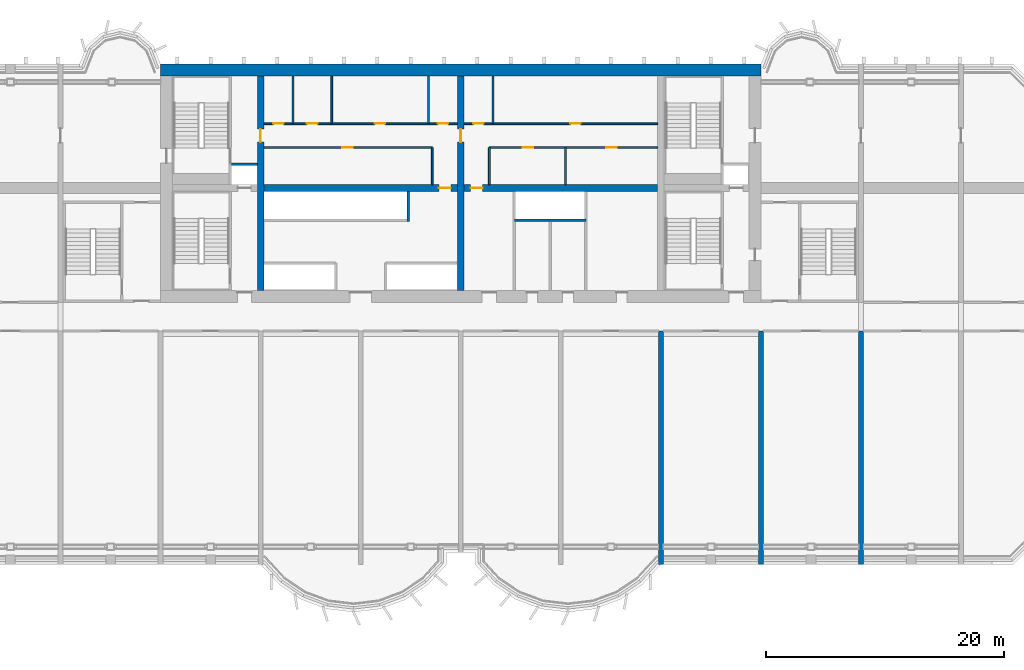
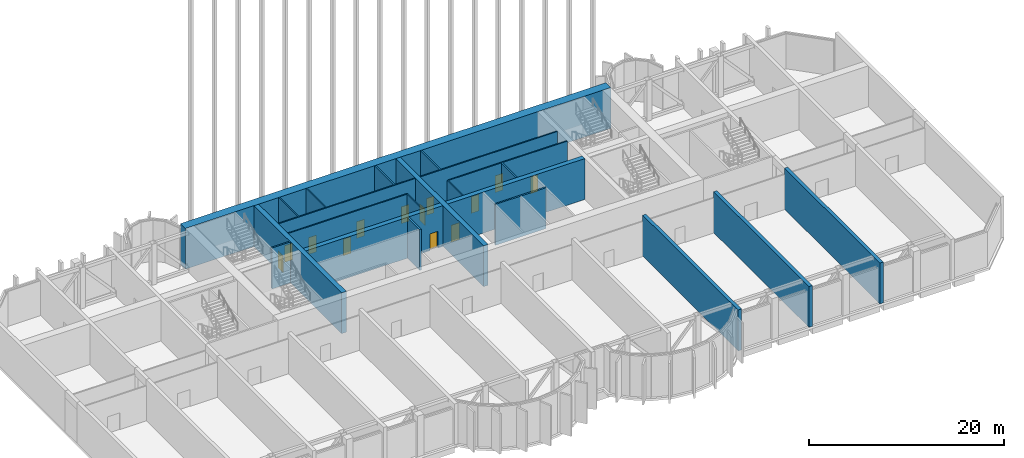
# One storey, part 7 of 17: 22 walls, 13 doors, 13 openings.
"""IFC4 building model written with IfcOpenShell, lengths in metres."""

from ifc_helpers import new_model, si_unit, direction, frame, frame_2d, origin, place, context, subcontext, project, spatial, rectangle, extrude, source, transform, mapped, material, layer, layer_set, type_object, element, fill, save


model = new_model("IFC4")

# Units and contexts
model_context = context("Model", 3, precision=1e-05, world=origin(), true_north=direction((0.0, 1.0)))
body_context = subcontext(model_context, "Body", "Model", "MODEL_VIEW")
ifc_project = project(units=[si_unit("LENGTHUNIT", "METRE"), si_unit("AREAUNIT", "SQUARE_METRE"), si_unit("VOLUMEUNIT", "CUBIC_METRE"), si_unit("PLANEANGLEUNIT", "RADIAN"), si_unit("MASSUNIT", "GRAM", prefix="KILO")], contexts=[model_context])

# Site, building, storey
site_placement = place(None, origin())
site = spatial("IfcSite", under=ifc_project, at=site_placement, CompositionType="ELEMENT")
building_placement = place(site_placement, origin())
building = spatial("IfcBuilding", under=site, at=building_placement, Name="Vanashikhar Sky Hotel", CompositionType="ELEMENT")
storey_placement = place(building_placement, frame((0.0, 0.0, 81.0)))
storey = spatial("IfcBuildingStorey", under=building, at=storey_placement, Name="L19", CompositionType="ELEMENT", Elevation=81.0)

# Wall
ifc_material_1 = material(Name="Concrete M80", Category="concrete")
ifc_layer_1 = layer(ifc_material_1, 1.0)
ifc_layer_set_1 = layer_set([ifc_layer_1], Name="RC core shell wall 1000 Concrete M80")
wall_type_1 = type_object("IfcWallType", Name="RC core shell wall 1000 Concrete M80", PredefinedType="SHEAR", material=ifc_layer_set_1)
shared_shape_1 = source(origin(), body_context, "Body", "SweptSolid", [
    extrude(rectangle(XDim=50.400146484375, YDim=1.0, at=frame_2d((25.2001953125, 0.0))), origin(), (0.0, 0.0, 1.0), 5.1201171875),
])
wall_1_placement = place(storey_placement, frame((25.199951171875, 41.5, 0.0), z_axis=(0.0, 0.0, 1.0), x_axis=(1.0, 0.0, 0.0)))
element("IfcWall", 1, at=wall_1_placement, inside=storey, type_object=wall_type_1, Name="KW-L19-KN", PredefinedType="SHEAR", context=body_context, shape_type="MappedRepresentation", body=[
    mapped(shared_shape_1, transform((0.0, 0.0, 0.0), scale=1.0)),
])

# Wall, opening, door
ifc_layer_2 = layer(ifc_material_1, 0.550048828125)
ifc_layer_set_2 = layer_set([ifc_layer_2], Name="RC core inner wall 550 Concrete M80")
wall_type_2 = type_object("IfcWallType", Name="RC core inner wall 550 Concrete M80", PredefinedType="SHEAR", material=ifc_layer_set_2)
shared_shape_2 = source(origin(), body_context, "Body", "SweptSolid", [
    extrude(rectangle(XDim=18.0, YDim=0.550048828125, at=frame_2d((9.0, 0.0))), origin(), (0.0, 0.0, 1.0), 5.1201171875),
])
wall_2_placement = place(storey_placement, frame((33.60009765625, 23.0, 0.0), z_axis=(0.0, 0.0, 1.0), x_axis=(0.0, 1.0, 0.0)))
wall_2 = element("IfcWall", 2, at=wall_2_placement, inside=storey, type_object=wall_type_2, Name="KW-L19-KX1", PredefinedType="SHEAR", context=body_context, shape_type="MappedRepresentation", body=[
    mapped(shared_shape_2, transform((0.0, 0.0, 0.0), scale=1.0)),
])
shared_shape_3 = source(origin(), body_context, "Body", "SweptSolid", [
    extrude(rectangle(XDim=1.10009765625, YDim=2.10009765625, at=frame_2d((0.550048828125, 1.050048828125))), frame((0.0, 0.28515625, 0.0), z_axis=(0.0, -1.0, 0.0), x_axis=(1.0, 0.0, 0.0)), (0.0, 0.0, 1.0), 0.570068359375),
])
opening_1_placement = place(wall_2_placement, frame((12.449951171875, 0.0, 0.0)))
opening_1 = element("IfcOpeningElement", 3, at=opening_1_placement, cuts=wall_2, Name="Opening DC-4-C", PredefinedType="OPENING", context=body_context, shape_type="MappedRepresentation", body=[
    mapped(shared_shape_3, transform((0.0, 0.0, 0.0), scale=1.0)),
])
ifc_material_2 = material(Name="Steel", Category="steel")
door_type_1 = type_object("IfcDoorType", Name="Service door 1100 FD60", OperationType="NOTDEFINED", PredefinedType="DOOR", material=ifc_material_2)
shared_shape_4 = source(origin(), body_context, "Body", "SweptSolid", [
    extrude(rectangle(XDim=1.10009765625, YDim=2.10009765625, at=frame_2d((0.550048828125, 1.050048828125))), frame((0.0, 0.02490234375, 0.0), z_axis=(0.0, -1.0, 0.0), x_axis=(1.0, 0.0, 0.0)), (0.0, 0.0, 1.0), 0.050048828125),
])
door_1_placement = place(opening_1_placement, origin())
door_1 = element("IfcDoor", 4, at=door_1_placement, inside=storey, type_object=door_type_1, Name="Service door 1100 FD60", OperationType="SINGLE_SWING_RIGHT", OverallHeight=2.10009765625, OverallWidth=1.10009765625, PredefinedType="DOOR", context=body_context, shape_type="MappedRepresentation", body=[
    mapped(shared_shape_4, transform((0.0, 0.0, 0.0), scale=1.0)),
])
fill(opening_1, door_1)

wall_3_placement = place(storey_placement, frame((50.39990234375, 23.0, 0.0), z_axis=(0.0, 0.0, 1.0), x_axis=(0.0, 1.0, 0.0)))
wall_3 = element("IfcWall", 5, at=wall_3_placement, inside=storey, type_object=wall_type_2, Name="KW-L19-KX2", PredefinedType="SHEAR", context=body_context, shape_type="MappedRepresentation", body=[
    mapped(shared_shape_2, transform((0.0, 0.0, 0.0), scale=1.0)),
])
opening_2_placement = place(wall_3_placement, frame((12.449951171875, 0.0, 0.0)))
opening_2 = element("IfcOpeningElement", 6, at=opening_2_placement, cuts=wall_3, Name="Opening DC-4-C", PredefinedType="OPENING", context=body_context, shape_type="MappedRepresentation", body=[
    mapped(shared_shape_3, transform((0.0, 0.0, 0.0), scale=1.0)),
])
door_2_placement = place(opening_2_placement, origin())
door_2 = element("IfcDoor", 7, at=door_2_placement, inside=storey, type_object=door_type_1, Name="Service door 1100 FD60", OperationType="SINGLE_SWING_LEFT", OverallHeight=2.10009765625, OverallWidth=1.10009765625, PredefinedType="DOOR", context=body_context, shape_type="MappedRepresentation", body=[
    mapped(shared_shape_4, transform((0.0, 0.0, 0.0), scale=1.0)),
])
fill(opening_2, door_2)

shared_shape_5 = source(origin(), body_context, "Body", "SweptSolid", [
    extrude(rectangle(XDim=16.25, YDim=0.550048828125, at=frame_2d((8.125, 0.0))), origin(), (0.0, 0.0, 1.0), 5.1201171875),
])
wall_4_placement = place(storey_placement, frame((33.875, 31.60009765625, 0.0), z_axis=(0.0, 0.0, 1.0), x_axis=(1.0, 0.0, 0.0)))
wall_4 = element("IfcWall", 8, at=wall_4_placement, inside=storey, type_object=wall_type_2, Name="KW-L19-KY2", PredefinedType="SHEAR", context=body_context, shape_type="MappedRepresentation", body=[
    mapped(shared_shape_5, transform((0.0, 0.0, 0.0), scale=1.0)),
])
shared_shape_6 = source(origin(), body_context, "Body", "SweptSolid", [
    extrude(rectangle(XDim=1.0, YDim=2.10009765625, at=frame_2d((0.5, 1.050048828125))), frame((0.0, 0.28515625, 0.0), z_axis=(0.0, -1.0, 0.0), x_axis=(1.0, 0.0, 0.0)), (0.0, 0.0, 1.0), 0.570068359375),
])
opening_3_placement = place(wall_4_placement, frame((14.68701171875, 0.0, 0.0)))
opening_3 = element("IfcOpeningElement", 9, at=opening_3_placement, cuts=wall_4, Name="Opening DC-4", PredefinedType="OPENING", context=body_context, shape_type="MappedRepresentation", body=[
    mapped(shared_shape_6, transform((0.0, 0.0, 0.0), scale=1.0)),
])
door_type_2 = type_object("IfcDoorType", Name="Service door 1000 FD60", OperationType="NOTDEFINED", PredefinedType="DOOR", material=ifc_material_2)
shared_shape_7 = source(origin(), body_context, "Body", "SweptSolid", [
    extrude(rectangle(XDim=1.0, YDim=2.10009765625, at=frame_2d((0.5, 1.050048828125))), frame((0.0, 0.02490234375, 0.0), z_axis=(0.0, -1.0, 0.0), x_axis=(1.0, 0.0, 0.0)), (0.0, 0.0, 1.0), 0.050048828125),
])
door_3_placement = place(opening_3_placement, origin())
door_3 = element("IfcDoor", 10, at=door_3_placement, inside=storey, type_object=door_type_2, Name="Service door 1000 FD60", OperationType="SINGLE_SWING_LEFT", OverallHeight=2.10009765625, OverallWidth=1.0, PredefinedType="DOOR", context=body_context, shape_type="MappedRepresentation", body=[
    mapped(shared_shape_7, transform((0.0, 0.0, 0.0), scale=1.0)),
])
fill(opening_3, door_3)

wall_5_placement = place(storey_placement, frame((50.675048828125, 31.60009765625, 0.0), z_axis=(0.0, 0.0, 1.0), x_axis=(1.0, 0.0, 0.0)))
wall_5 = element("IfcWall", 11, at=wall_5_placement, inside=storey, type_object=wall_type_2, Name="KW-L19-KY3", PredefinedType="SHEAR", context=body_context, shape_type="MappedRepresentation", body=[
    mapped(shared_shape_5, transform((0.0, 0.0, 0.0), scale=1.0)),
])
opening_4_placement = place(wall_5_placement, frame((0.56201171875, 0.0, 0.0)))
opening_4 = element("IfcOpeningElement", 12, at=opening_4_placement, cuts=wall_5, Name="Opening DC-4", PredefinedType="OPENING", context=body_context, shape_type="MappedRepresentation", body=[
    mapped(shared_shape_6, transform((0.0, 0.0, 0.0), scale=1.0)),
])
door_4_placement = place(opening_4_placement, origin())
door_4 = element("IfcDoor", 13, at=door_4_placement, inside=storey, type_object=door_type_2, Name="Service door 1000 FD60", OperationType="SINGLE_SWING_RIGHT", OverallHeight=2.10009765625, OverallWidth=1.0, PredefinedType="DOOR", context=body_context, shape_type="MappedRepresentation", body=[
    mapped(shared_shape_7, transform((0.0, 0.0, 0.0), scale=1.0)),
])
fill(opening_4, door_4)

# Walls
ifc_layer_3 = layer(ifc_material_1, 0.39990234375)
ifc_layer_set_3 = layer_set([ifc_layer_3], Name="RC shear wall 400 Concrete M80")
wall_type_3 = type_object("IfcWallType", Name="RC shear wall 400 Concrete M80", PredefinedType="SHEAR", material=ifc_layer_set_3)
shared_shape_8 = source(origin(), body_context, "Body", "SweptSolid", [
    extrude(rectangle(XDim=19.60009765625, YDim=0.39990234375, at=frame_2d((9.800048828125, 0.0))), origin(), (0.0, 0.0, 1.0), 5.1201171875),
])
for number, where, z_axis, x_axis, name in (
    (14, (67.199951171875, 0.0, 0.0), (0.0, 0.0, 1.0), (0.0, 1.0, 0.0), "CW-L19-XW09-1"),
    (15, (75.60009765625, 0.0, 0.0), (0.0, 0.0, 1.0), (0.0, 1.0, 0.0), "CW-L19-XW10-1"),
    (16, (84.0, 0.0, 0.0), (0.0, 0.0, 1.0), (0.0, 1.0, 0.0), "CW-L19-XW11-1"),
):
    element("IfcWall", number, at=place(storey_placement, frame(where, z_axis=z_axis, x_axis=x_axis)), inside=storey, type_object=wall_type_3, Name=name, PredefinedType="SHEAR", context=body_context, shape_type="MappedRepresentation", body=[
        mapped(shared_shape_8, transform((0.0, 0.0, 0.0), scale=1.0)),
    ])
ifc_material_3 = material(Name="Concrete M40", Category="concrete")
ifc_layer_4 = layer(ifc_material_3, 0.199951171875)
ifc_layer_set_4 = layer_set([ifc_layer_4], Name="Shaft wall 200")
wall_type_4 = type_object("IfcWallType", Name="Shaft wall 200", PredefinedType="SOLIDWALL", material=ifc_layer_set_4)
shared_shape_9 = source(origin(), body_context, "Body", "SweptSolid", [
    extrude(rectangle(XDim=6.0, YDim=0.199951171875, at=frame_2d((3.0, 0.0))), origin(), (0.0, 0.0, 1.0), 5.1201171875),
])
wall_6_placement = place(storey_placement, frame((60.89990234375, 28.89990234375, 0.0), z_axis=(0.0, 0.0, 1.0), x_axis=(-1.0, 0.0, 0.0)))
element("IfcWall", 17, at=wall_6_placement, inside=storey, type_object=wall_type_4, Name="Shaft wall 200", PredefinedType="SOLIDWALL", context=body_context, shape_type="MappedRepresentation", body=[
    mapped(shared_shape_9, transform((0.0, 0.0, 0.0), scale=1.0)),
])
shared_shape_10 = source(origin(), body_context, "Body", "SweptSolid", [
    extrude(rectangle(XDim=2.52490234375, YDim=0.199951171875, at=frame_2d((1.262451171875, 0.0))), origin(), (0.0, 0.0, 1.0), 5.1201171875),
])
wall_7_placement = place(storey_placement, frame((46.0, 28.800048828125, 0.0), z_axis=(0.0, 0.0, 1.0), x_axis=(0.0, 1.0, 0.0)))
element("IfcWall", 18, at=wall_7_placement, inside=storey, type_object=wall_type_4, Name="Shaft wall 200", PredefinedType="SOLIDWALL", context=body_context, shape_type="MappedRepresentation", body=[
    mapped(shared_shape_10, transform((0.0, 0.0, 0.0), scale=1.0)),
])
ifc_material_4 = material(Name="Gypsum board partition")
ifc_layer_5 = layer(ifc_material_4, 0.14990234375)
ifc_layer_set_5 = layer_set([ifc_layer_5], Name="Service partition 150")
wall_type_5 = type_object("IfcWallType", Name="Service partition 150", PredefinedType="PARTITIONING", material=ifc_layer_set_5)
shared_shape_11 = source(origin(), body_context, "Body", "SweptSolid", [
    extrude(rectangle(XDim=3.125, YDim=0.14990234375, at=frame_2d((1.5625, 0.0))), origin(), (0.0, 0.0, 1.0), 5.1201171875),
])
for number, where, z_axis, x_axis, name in (
    (19, (48.0, 31.875, 0.0), (0.0, 0.0, 1.0), (0.0, 1.0, 0.0), "Service partition 150"),
    (20, (52.800048828125, 31.875, 0.0), (0.0, 0.0, 1.0), (0.0, 1.0, 0.0), "Service partition 150"),
    (21, (59.197021484375, 31.875, 0.0), (0.0, 0.0, 1.0), (0.0, 1.0, 0.0), "Service partition 150"),
):
    element("IfcWall", number, at=place(storey_placement, frame(where, z_axis=z_axis, x_axis=x_axis)), inside=storey, type_object=wall_type_5, Name=name, PredefinedType="PARTITIONING", context=body_context, shape_type="MappedRepresentation", body=[
        mapped(shared_shape_11, transform((0.0, 0.0, 0.0), scale=1.0)),
    ])

# Wall, opening, door
shared_shape_12 = source(origin(), body_context, "Body", "SweptSolid", [
    extrude(rectangle(XDim=14.125, YDim=0.14990234375, at=frame_2d((7.0625, 0.0))), origin(), (0.0, 0.0, 1.0), 5.1201171875),
])
wall_8_placement = place(storey_placement, frame((33.875, 35.0, 0.0), z_axis=(0.0, 0.0, 1.0), x_axis=(1.0, 0.0, 0.0)))
wall_8 = element("IfcWall", 22, at=wall_8_placement, inside=storey, type_object=wall_type_5, Name="Service partition 150", PredefinedType="PARTITIONING", context=body_context, shape_type="MappedRepresentation", body=[
    mapped(shared_shape_12, transform((0.0, 0.0, 0.0), scale=1.0)),
])
shared_shape_13 = source(origin(), body_context, "Body", "SweptSolid", [
    extrude(rectangle(XDim=0.89990234375, YDim=2.10009765625, at=frame_2d((0.449951171875, 1.050048828125))), frame((0.0, 0.0849609375, 0.0), z_axis=(0.0, -1.0, 0.0), x_axis=(1.0, 0.0, 0.0)), (0.0, 0.0, 1.0), 0.169921875),
])
opening_5_placement = place(wall_8_placement, frame((6.574951171875, 0.0, 0.0)))
opening_5 = element("IfcOpeningElement", 23, at=opening_5_placement, cuts=wall_8, Name="Opening DC-4-A", PredefinedType="OPENING", context=body_context, shape_type="MappedRepresentation", body=[
    mapped(shared_shape_13, transform((0.0, 0.0, 0.0), scale=1.0)),
])
door_type_3 = type_object("IfcDoorType", Name="Service door 900 FD60", OperationType="NOTDEFINED", PredefinedType="DOOR", material=ifc_material_2)
shared_shape_14 = source(origin(), body_context, "Body", "SweptSolid", [
    extrude(rectangle(XDim=0.89990234375, YDim=2.10009765625, at=frame_2d((0.449951171875, 1.050048828125))), frame((0.0, 0.02490234375, 0.0), z_axis=(0.0, -1.0, 0.0), x_axis=(1.0, 0.0, 0.0)), (0.0, 0.0, 1.0), 0.050048828125),
])
door_5_placement = place(opening_5_placement, origin())
door_5 = element("IfcDoor", 24, at=door_5_placement, inside=storey, type_object=door_type_3, Name="Service door 900 FD60", OperationType="SINGLE_SWING_RIGHT", OverallHeight=2.10009765625, OverallWidth=0.89990234375, PredefinedType="DOOR", context=body_context, shape_type="MappedRepresentation", body=[
    mapped(shared_shape_14, transform((0.0, 0.0, 0.0), scale=1.0)),
])
fill(opening_5, door_5)

# Wall, openings, doors
wall_9_placement = place(storey_placement, frame((66.925048828125, 35.0, 0.0), z_axis=(0.0, 0.0, 1.0), x_axis=(-1.0, 0.0, 0.0)))
wall_9 = element("IfcWall", 25, at=wall_9_placement, inside=storey, type_object=wall_type_5, Name="Service partition 150", PredefinedType="PARTITIONING", context=body_context, shape_type="MappedRepresentation", body=[
    mapped(shared_shape_12, transform((0.0, 0.0, 0.0), scale=1.0)),
])
opening_6_placement = place(wall_9_placement, frame((3.4140625, 0.0, 0.0)))
opening_6 = element("IfcOpeningElement", 26, at=opening_6_placement, cuts=wall_9, Name="Opening DC-4-A", PredefinedType="OPENING", context=body_context, shape_type="MappedRepresentation", body=[
    mapped(shared_shape_13, transform((0.0, 0.0, 0.0), scale=1.0)),
])
opening_7_placement = place(wall_9_placement, frame((10.43896484375, 0.0, 0.0)))
opening_7 = element("IfcOpeningElement", 27, at=opening_7_placement, cuts=wall_9, Name="Opening DC-4-A", PredefinedType="OPENING", context=body_context, shape_type="MappedRepresentation", body=[
    mapped(shared_shape_13, transform((0.0, 0.0, 0.0), scale=1.0)),
])
door_6_placement = place(opening_6_placement, origin())
door_6 = element("IfcDoor", 28, at=door_6_placement, inside=storey, type_object=door_type_3, Name="Service door 900 FD60", OperationType="SINGLE_SWING_RIGHT", OverallHeight=2.10009765625, OverallWidth=0.89990234375, PredefinedType="DOOR", context=body_context, shape_type="MappedRepresentation", body=[
    mapped(shared_shape_14, transform((0.0, 0.0, 0.0), scale=1.0)),
])
fill(opening_6, door_6)
door_7_placement = place(opening_7_placement, origin())
door_7 = element("IfcDoor", 29, at=door_7_placement, inside=storey, type_object=door_type_3, Name="Service door 900 FD60", OperationType="SINGLE_SWING_RIGHT", OverallHeight=2.10009765625, OverallWidth=0.89990234375, PredefinedType="DOOR", context=body_context, shape_type="MappedRepresentation", body=[
    mapped(shared_shape_14, transform((0.0, 0.0, 0.0), scale=1.0)),
])
fill(opening_7, door_7)

shared_shape_15 = source(origin(), body_context, "Body", "SweptSolid", [
    extrude(rectangle(XDim=16.25, YDim=0.14990234375, at=frame_2d((8.125, 0.0))), origin(), (0.0, 0.0, 1.0), 5.1201171875),
])
wall_10_placement = place(storey_placement, frame((33.875, 37.0, 0.0), z_axis=(0.0, 0.0, 1.0), x_axis=(1.0, 0.0, 0.0)))
wall_10 = element("IfcWall", 30, at=wall_10_placement, inside=storey, type_object=wall_type_5, Name="Service partition 150", PredefinedType="PARTITIONING", context=body_context, shape_type="MappedRepresentation", body=[
    mapped(shared_shape_15, transform((0.0, 0.0, 0.0), scale=1.0)),
])
opening_8_placement = place(wall_10_placement, frame((0.76904296875, 0.0, 0.0)))
opening_8 = element("IfcOpeningElement", 31, at=opening_8_placement, cuts=wall_10, Name="Opening DC-4-A", PredefinedType="OPENING", context=body_context, shape_type="MappedRepresentation", body=[
    mapped(shared_shape_13, transform((0.0, 0.0, 0.0), scale=1.0)),
])
opening_9_placement = place(wall_10_placement, frame((3.613037109375, 0.0, 0.0)))
opening_9 = element("IfcOpeningElement", 32, at=opening_9_placement, cuts=wall_10, Name="Opening DC-4-A", PredefinedType="OPENING", context=body_context, shape_type="MappedRepresentation", body=[
    mapped(shared_shape_13, transform((0.0, 0.0, 0.0), scale=1.0)),
])
opening_10_placement = place(wall_10_placement, frame((9.300048828125, 0.0, 0.0)))
opening_10 = element("IfcOpeningElement", 33, at=opening_10_placement, cuts=wall_10, Name="Opening DC-4-A", PredefinedType="OPENING", context=body_context, shape_type="MappedRepresentation", body=[
    mapped(shared_shape_13, transform((0.0, 0.0, 0.0), scale=1.0)),
])
opening_11_placement = place(wall_10_placement, frame((14.5810546875, 0.0, 0.0)))
opening_11 = element("IfcOpeningElement", 34, at=opening_11_placement, cuts=wall_10, Name="Opening DC-4-A", PredefinedType="OPENING", context=body_context, shape_type="MappedRepresentation", body=[
    mapped(shared_shape_13, transform((0.0, 0.0, 0.0), scale=1.0)),
])
door_8_placement = place(opening_8_placement, origin())
door_8 = element("IfcDoor", 35, at=door_8_placement, inside=storey, type_object=door_type_3, Name="Service door 900 FD60", OperationType="SINGLE_SWING_LEFT", OverallHeight=2.10009765625, OverallWidth=0.89990234375, PredefinedType="DOOR", context=body_context, shape_type="MappedRepresentation", body=[
    mapped(shared_shape_14, transform((0.0, 0.0, 0.0), scale=1.0)),
])
fill(opening_8, door_8)
door_9_placement = place(opening_9_placement, origin())
door_9 = element("IfcDoor", 36, at=door_9_placement, inside=storey, type_object=door_type_3, Name="Service door 900 FD60", OperationType="SINGLE_SWING_RIGHT", OverallHeight=2.10009765625, OverallWidth=0.89990234375, PredefinedType="DOOR", context=body_context, shape_type="MappedRepresentation", body=[
    mapped(shared_shape_14, transform((0.0, 0.0, 0.0), scale=1.0)),
])
fill(opening_9, door_9)
door_10_placement = place(opening_10_placement, origin())
door_10 = element("IfcDoor", 37, at=door_10_placement, inside=storey, type_object=door_type_3, Name="Service door 900 FD60", OperationType="SINGLE_SWING_RIGHT", OverallHeight=2.10009765625, OverallWidth=0.89990234375, PredefinedType="DOOR", context=body_context, shape_type="MappedRepresentation", body=[
    mapped(shared_shape_14, transform((0.0, 0.0, 0.0), scale=1.0)),
])
fill(opening_10, door_10)
door_11_placement = place(opening_11_placement, origin())
door_11 = element("IfcDoor", 38, at=door_11_placement, inside=storey, type_object=door_type_3, Name="Service door 900 FD60", OperationType="SINGLE_SWING_RIGHT", OverallHeight=2.10009765625, OverallWidth=0.89990234375, PredefinedType="DOOR", context=body_context, shape_type="MappedRepresentation", body=[
    mapped(shared_shape_14, transform((0.0, 0.0, 0.0), scale=1.0)),
])
fill(opening_11, door_11)

wall_11_placement = place(storey_placement, frame((66.925048828125, 37.0, 0.0), z_axis=(0.0, 0.0, 1.0), x_axis=(-1.0, 0.0, 0.0)))
wall_11 = element("IfcWall", 39, at=wall_11_placement, inside=storey, type_object=wall_type_5, Name="Service partition 150", PredefinedType="PARTITIONING", context=body_context, shape_type="MappedRepresentation", body=[
    mapped(shared_shape_15, transform((0.0, 0.0, 0.0), scale=1.0)),
])
opening_12_placement = place(wall_11_placement, frame((6.4560546875, 0.0, 0.0)))
opening_12 = element("IfcOpeningElement", 40, at=opening_12_placement, cuts=wall_11, Name="Opening DC-4-A", PredefinedType="OPENING", context=body_context, shape_type="MappedRepresentation", body=[
    mapped(shared_shape_13, transform((0.0, 0.0, 0.0), scale=1.0)),
])
opening_13_placement = place(wall_11_placement, frame((14.5810546875, 0.0, 0.0)))
opening_13 = element("IfcOpeningElement", 41, at=opening_13_placement, cuts=wall_11, Name="Opening DC-4-A", PredefinedType="OPENING", context=body_context, shape_type="MappedRepresentation", body=[
    mapped(shared_shape_13, transform((0.0, 0.0, 0.0), scale=1.0)),
])
door_12_placement = place(opening_12_placement, origin())
door_12 = element("IfcDoor", 42, at=door_12_placement, inside=storey, type_object=door_type_3, Name="Service door 900 FD60", OperationType="SINGLE_SWING_LEFT", OverallHeight=2.10009765625, OverallWidth=0.89990234375, PredefinedType="DOOR", context=body_context, shape_type="MappedRepresentation", body=[
    mapped(shared_shape_14, transform((0.0, 0.0, 0.0), scale=1.0)),
])
fill(opening_12, door_12)
door_13_placement = place(opening_13_placement, origin())
door_13 = element("IfcDoor", 43, at=door_13_placement, inside=storey, type_object=door_type_3, Name="Service door 900 FD60", OperationType="SINGLE_SWING_LEFT", OverallHeight=2.10009765625, OverallWidth=0.89990234375, PredefinedType="DOOR", context=body_context, shape_type="MappedRepresentation", body=[
    mapped(shared_shape_14, transform((0.0, 0.0, 0.0), scale=1.0)),
])
fill(opening_13, door_13)

# Walls
shared_shape_16 = source(origin(), body_context, "Body", "SweptSolid", [
    extrude(rectangle(XDim=4.0, YDim=0.14990234375, at=frame_2d((2.0, 0.0))), origin(), (0.0, 0.0, 1.0), 5.1201171875),
])
for number, where, z_axis, x_axis, name in (
    (44, (36.31201171875, 37.0, 0.0), (0.0, 0.0, 1.0), (0.0, 1.0, 0.0), "Service partition 150"),
    (45, (39.56201171875, 37.0, 0.0), (0.0, 0.0, 1.0), (0.0, 1.0, 0.0), "Service partition 150"),
    (46, (47.68798828125, 37.0, 0.0), (0.0, 0.0, 1.0), (0.0, 1.0, 0.0), "Service partition 150"),
    (47, (53.112060546875, 37.0, 0.0), (0.0, 0.0, 1.0), (0.0, 1.0, 0.0), "Service partition 150"),
):
    element("IfcWall", number, at=place(storey_placement, frame(where, z_axis=z_axis, x_axis=x_axis)), inside=storey, type_object=wall_type_5, Name=name, PredefinedType="PARTITIONING", context=body_context, shape_type="MappedRepresentation", body=[
        mapped(shared_shape_16, transform((0.0, 0.0, 0.0), scale=1.0)),
    ])
shared_shape_17 = source(origin(), body_context, "Body", "SweptSolid", [
    extrude(rectangle(XDim=2.175048828125, YDim=0.199951171875, at=frame_2d((1.08740234375, 0.0))), origin(), (0.0, 0.0, 1.0), 5.1201171875),
])
wall_12_placement = place(storey_placement, frame((31.14990234375, 33.60009765625, 0.0), z_axis=(0.0, 0.0, 1.0), x_axis=(1.0, 0.0, 0.0)))
element("IfcWall", 48, at=wall_12_placement, inside=storey, type_object=wall_type_4, Name="Shaft wall 200", PredefinedType="SOLIDWALL", context=body_context, shape_type="MappedRepresentation", body=[
    mapped(shared_shape_17, transform((0.0, 0.0, 0.0), scale=1.0)),
])

save(model, "model.ifc")
